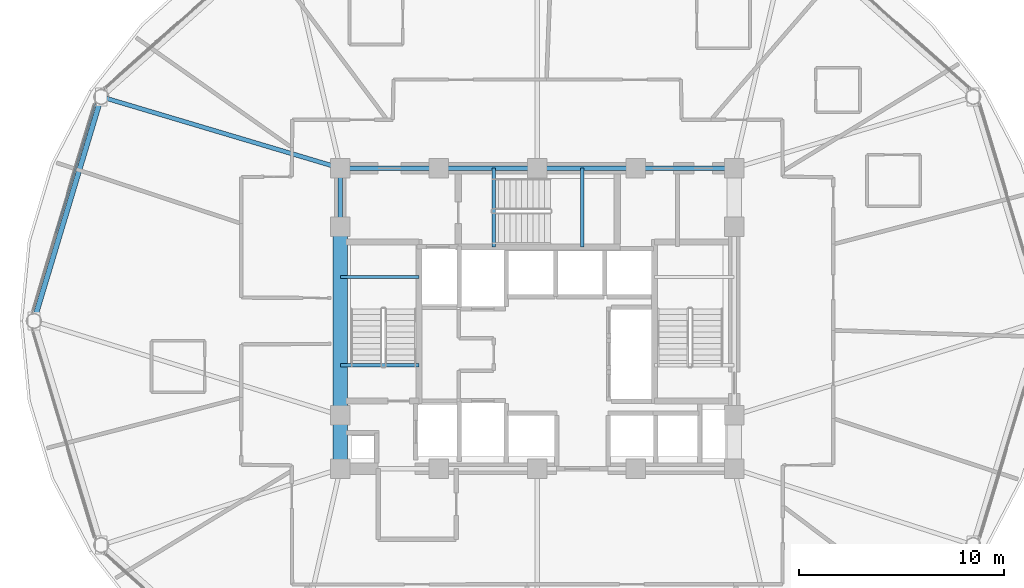
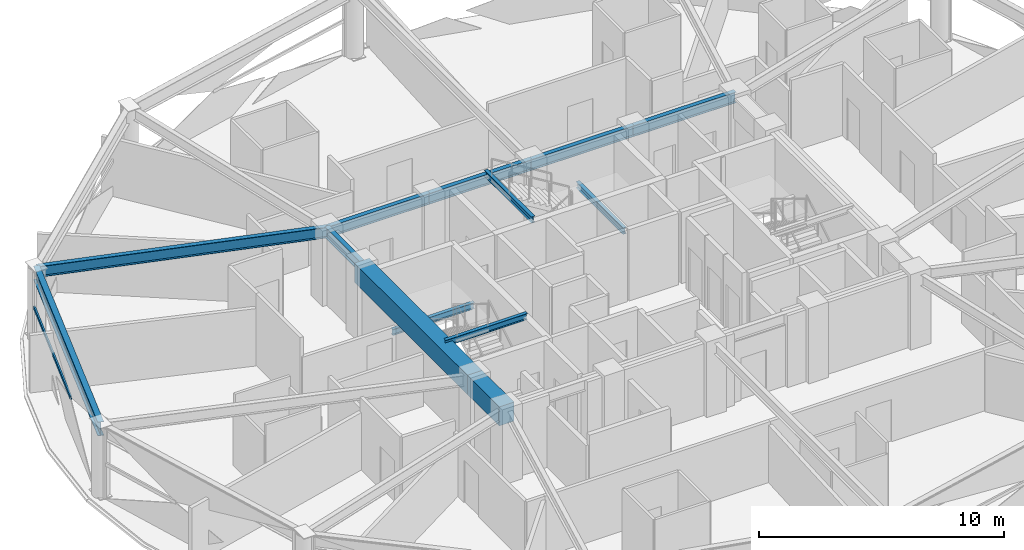
# One storey, part 8 of 29: 13 beams, 1 member, 1 element without a shape of its own.
"""IFC4 building model written with IfcOpenShell, lengths in metres."""

from ifc_helpers import new_model, si_unit, direction, frame, origin, origin_2d, place, context, subcontext, project, spatial, rectangle, hollow_rectangle, i_section, extrude, material, layer, layer_set, material_profile, profile_set, type_object, element, aggregate, save


model = new_model("IFC4")

# Units and contexts
model_context = context("Model", 3, precision=1e-05, world=origin(), true_north=direction((0.0, 1.0)))
body_context = subcontext(model_context, "Body", "Model", "MODEL_VIEW")
ifc_project = project(units=[si_unit("LENGTHUNIT", "METRE"), si_unit("AREAUNIT", "SQUARE_METRE"), si_unit("VOLUMEUNIT", "CUBIC_METRE"), si_unit("PLANEANGLEUNIT", "RADIAN"), si_unit("MASSUNIT", "GRAM", prefix="KILO")], contexts=[model_context])

# Site, building, storey
site_placement = place(None, origin())
site = spatial("IfcSite", under=ifc_project, at=site_placement, CompositionType="ELEMENT")
building_placement = place(site_placement, origin())
building = spatial("IfcBuilding", under=site, at=building_placement, Name="Vantalir Tower", CompositionType="ELEMENT")
storey_placement = place(building_placement, frame((0.0, 0.0, 168.449951171875)))
storey = spatial("IfcBuildingStorey", under=building, at=storey_placement, Name="L42", CompositionType="ELEMENT", Elevation=168.449951171875)

# Beams
ifc_material_1 = material(Name="Concrete C60/75", Category="concrete")
ifc_material_profile_1 = material_profile(ifc_material_1, rectangle(XDim=0.699951171875, YDim=0.949951171875, at=origin_2d()), Name="Concrete C60/75")
ifc_profile_set_1 = profile_set([ifc_material_profile_1], Name="Concrete C60/75")
beam_type_1 = type_object("IfcBeamType", Name="BM-CB-700x950", PredefinedType="USERDEFINED", material=ifc_profile_set_1)
beam_1_placement = place(storey_placement, frame((21.89990234375, 29.60009765625, 3.094970703125), z_axis=(0.0, -1.0, 0.0), x_axis=(1.0, 0.0, 0.0)))
element("IfcBeam", 1, at=beam_1_placement, inside=storey, type_object=beam_type_1, Name="L42 Core Coupling Girder 13", ObjectType="GIRDER", PredefinedType="USERDEFINED", context=body_context, shape_type="SweptSolid", body=[
    extrude(rectangle(XDim=0.699951171875, YDim=0.949951171875, at=origin_2d()), origin(), (0.0, 0.0, 1.0), 9.2001953125),
])
beam_2_placement = place(storey_placement, frame((21.89990234375, 20.39990234375, 3.094970703125), z_axis=(0.0, -1.0, 0.0), x_axis=(1.0, 0.0, 0.0)))
element("IfcBeam", 2, at=beam_2_placement, inside=storey, type_object=beam_type_1, Name="L42 Core Coupling Girder 14", ObjectType="GIRDER", PredefinedType="USERDEFINED", context=body_context, shape_type="SweptSolid", body=[
    extrude(rectangle(XDim=0.699951171875, YDim=0.949951171875, at=origin_2d()), origin(), (0.0, 0.0, 1.0), 2.599853515625),
])
ifc_material_2 = material(Name="Steel S355", Category="steel")
ifc_material_profile_2 = material_profile(ifc_material_2, i_section(OverallWidth=0.166015625, OverallDepth=0.306884765625, WebThickness=0.006591796875, FlangeThickness=0.01171875, at=origin_2d()), Name="Steel S355")
ifc_profile_set_2 = profile_set([ifc_material_profile_2], Name="Steel S355")
beam_type_2 = type_object("IfcBeamType", Name="BM-JS-305x165", PredefinedType="JOIST", material=ifc_profile_set_2)
for number, where, z_axis, x_axis, name in (
    (3, (21.89990234375, 22.8349609375, 3.595947265625), (1.0, 0.0, 0.0), (0.0, 1.0, 0.0), "L43 Stair ST1 Well Nosing Trimmer Beam"),
    (4, (21.89990234375, 27.14501953125, 1.52197265625), (1.0, 0.0, 0.0), (0.0, 1.0, 0.0), "L42 Stair ST1 Half-Landing Support Beam"),
):
    element("IfcBeam", number, at=place(storey_placement, frame(where, z_axis=z_axis, x_axis=x_axis)), inside=storey, type_object=beam_type_2, Name=name, PredefinedType="JOIST", context=body_context, shape_type="SweptSolid", body=[
        extrude(i_section(OverallWidth=0.166015625, OverallDepth=0.306884765625, WebThickness=0.006591796875, FlangeThickness=0.01171875, at=origin_2d()), origin(), (0.0, 0.0, 1.0), 3.840087890625),
    ])
for number, where, z_axis, x_axis, name in (
    (5, (29.385009765625, 28.60009765625, 3.595947265625), (0.0, 1.0, 0.0), (-1.0, 0.0, 0.0), "L43 Stair ST3 Well Nosing Trimmer Beam"),
    (6, (33.695068359375, 28.60009765625, 1.52197265625), (0.0, 1.0, 0.0), (-1.0, 0.0, 0.0), "L42 Stair ST3 Half-Landing Support Beam"),
):
    element("IfcBeam", number, at=place(storey_placement, frame(where, z_axis=z_axis, x_axis=x_axis)), inside=storey, type_object=beam_type_2, Name=name, PredefinedType="JOIST", context=body_context, shape_type="SweptSolid", body=[
        extrude(i_section(OverallWidth=0.166015625, OverallDepth=0.306884765625, WebThickness=0.006591796875, FlangeThickness=0.01171875, at=origin_2d()), origin(), (0.0, 0.0, 1.0), 3.849853515625),
    ])
ifc_material_profile_3 = material_profile(ifc_material_2, i_section(OverallWidth=0.2109375, OverallDepth=0.5390625, WebThickness=0.01171875, FlangeThickness=0.018798828125, at=origin_2d()), Name="Steel S355")
ifc_profile_set_3 = profile_set([ifc_material_profile_3], Name="Steel S355")
beam_type_3 = type_object("IfcBeamType", Name="BM-RB-533x210", PredefinedType="BEAM", material=ifc_profile_set_3)
for number, where, z_axis, x_axis, name in (
    (7, (41.10009765625, 32.449951171875, 3.301025390625), (-1.0, 0.0, 0.0), (0.0, -1.0, 0.0), "L42 Core Coupling Girder 08"),
    (8, (36.300048828125, 32.449951171875, 3.301025390625), (-1.0, 0.0, 0.0), (0.0, -1.0, 0.0), "L42 Core Coupling Girder 09"),
    (9, (31.5, 32.449951171875, 3.301025390625), (-1.0, 0.0, 0.0), (0.0, -1.0, 0.0), "L42 Core Coupling Girder 10"),
    (10, (26.699951171875, 32.449951171875, 3.301025390625), (-1.0, 0.0, 0.0), (0.0, -1.0, 0.0), "L42 Core Coupling Girder 11"),
):
    element("IfcBeam", number, at=place(storey_placement, frame(where, z_axis=z_axis, x_axis=x_axis)), inside=storey, type_object=beam_type_3, Name=name, PredefinedType="BEAM", context=body_context, shape_type="SweptSolid", body=[
        extrude(i_section(OverallWidth=0.2109375, OverallDepth=0.5390625, WebThickness=0.01171875, FlangeThickness=0.018798828125, at=origin_2d()), origin(), (0.0, 0.0, 1.0), 4.800048828125),
    ])
beam_3_placement = place(storey_placement, frame((21.89990234375, 32.449951171875, 3.301025390625), z_axis=(0.0, -1.0, 0.0), x_axis=(1.0, 0.0, 0.0)))
element("IfcBeam", 11, at=beam_3_placement, inside=storey, type_object=beam_type_3, Name="L42 Core Coupling Girder 12", PredefinedType="BEAM", context=body_context, shape_type="SweptSolid", body=[
    extrude(i_section(OverallWidth=0.2109375, OverallDepth=0.5390625, WebThickness=0.01171875, FlangeThickness=0.018798828125, at=origin_2d()), origin(), (0.0, 0.0, 1.0), 2.849853515625),
])
beam_4_placement = place(storey_placement, frame((10.2509765625, 35.924072265625, 3.301025390625), z_axis=(0.958290462824, -0.285796061659, 0.0), x_axis=(0.285796061659, 0.958290462824, 0.0)))
element("IfcBeam", 12, at=beam_4_placement, inside=storey, type_object=beam_type_3, Name="L42 Radial Floor Beam 06", PredefinedType="BEAM", context=body_context, shape_type="SweptSolid", body=[
    extrude(i_section(OverallWidth=0.2109375, OverallDepth=0.5390625, WebThickness=0.01171875, FlangeThickness=0.018798828125, at=origin_2d()), origin(), (0.0, 0.0, 1.0), 12.156005859375),
])
ifc_material_3 = material(Name="Steel S460", Category="steel")
ifc_material_profile_4 = material_profile(ifc_material_3, i_section(OverallWidth=0.256103515625, OverallDepth=0.693115234375, WebThickness=0.014404296875, FlangeThickness=0.023681640625, at=origin_2d()), Name="Steel S460")
ifc_profile_set_4 = profile_set([ifc_material_profile_4], Name="Steel S460")
beam_type_4 = type_object("IfcBeamType", Name="BM-RG-686x254", PredefinedType="USERDEFINED", material=ifc_profile_set_4)
beam_5_placement = place(storey_placement, frame((10.2509765625, 35.924072265625, 3.22412109375), z_axis=(-0.288123336704, -0.957593307645, 0.0), x_axis=(0.957593307645, -0.288123336704, 0.0)))
element("IfcBeam", 13, at=beam_5_placement, inside=storey, type_object=beam_type_4, Name="L42 Circumferential Ring Girder 06", ObjectType="GIRDER", PredefinedType="USERDEFINED", context=body_context, shape_type="SweptSolid", body=[
    extrude(i_section(OverallWidth=0.256103515625, OverallDepth=0.693115234375, WebThickness=0.014404296875, FlangeThickness=0.023681640625, at=origin_2d()), origin(), (0.0, 0.0, 1.0), 11.407958984375),
])

# Curtain wall, member
ifc_material_4 = material(Name="Champagne-silver PVDF aluminium and double-silver Low-E glass", Category="aluminium")
ifc_layer = layer(ifc_material_4, 0.199951171875)
ifc_layer_set = layer_set([ifc_layer], Name="Champagne-silver PVDF aluminium and double-silver Low-E glass")
curtain_wall_type = type_object("IfcCurtainWallType", Name="CW-DIAMOND-Z2", PredefinedType="USERDEFINED", material=ifc_layer_set)
curtain_wall_placement = place(storey_placement, origin())
curtain_wall = element("IfcCurtainWall", 14, at=curtain_wall_placement, inside=storey, type_object=curtain_wall_type, Name="L42 Quilted Pyramid-Diamond Curtain Wall S06", ObjectType="UNITISED CURTAIN WALL", PredefinedType="USERDEFINED")
ifc_material_5 = material(Name="Champagne-silver PVDF aluminium 6063-T6", Category="aluminium")
ifc_material_profile_5 = material_profile(ifc_material_5, hollow_rectangle(XDim=0.074951171875, YDim=0.159912109375, WallThickness=0.00390625, at=origin_2d()), Name="Champagne-silver PVDF aluminium 6063-T6")
ifc_profile_set_5 = profile_set([ifc_material_profile_5], Name="Champagne-silver PVDF aluminium 6063-T6")
member_type = type_object("IfcMemberType", Name="CWT-160x75", PredefinedType="USERDEFINED", material=ifc_profile_set_5)
member_placement = place(storey_placement, frame((9.9599609375, 35.597900390625, 1.78515625), z_axis=(-0.291304592618, -0.956630354065, 0.0), x_axis=(0.956630354065, -0.291304592618, 0.0)))
member = element("IfcMember", 15, at=member_placement, type_object=member_type, Name="CW-L42-S06 Pyramid Fold Ridge Transom", ObjectType="TRANSOM", PredefinedType="USERDEFINED", context=body_context, shape_type="SweptSolid", body=[
    extrude(hollow_rectangle(XDim=0.074951171875, YDim=0.159912109375, WallThickness=0.00390625, at=origin_2d()), origin(), (0.0, 0.0, 1.0), 6.5908203125),
])
aggregate(curtain_wall, [member])

save(model, "model.ifc")
